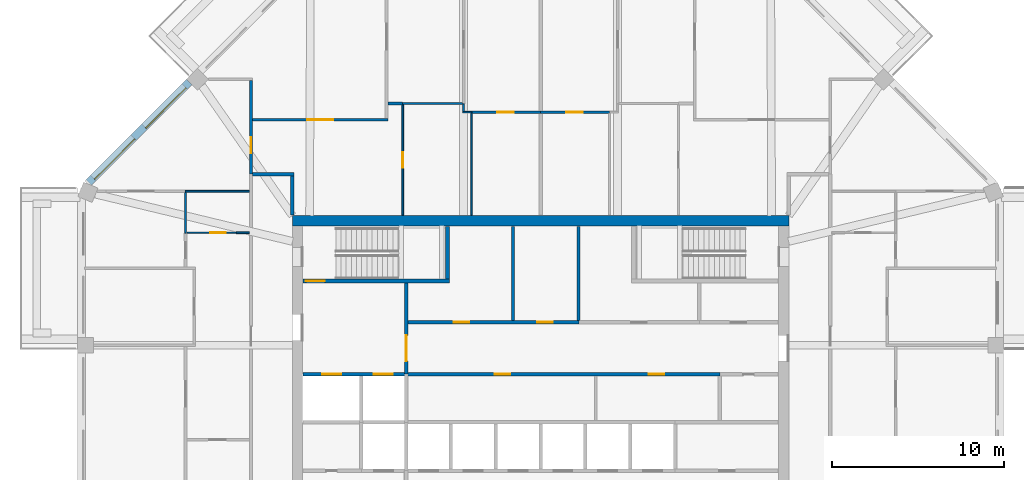
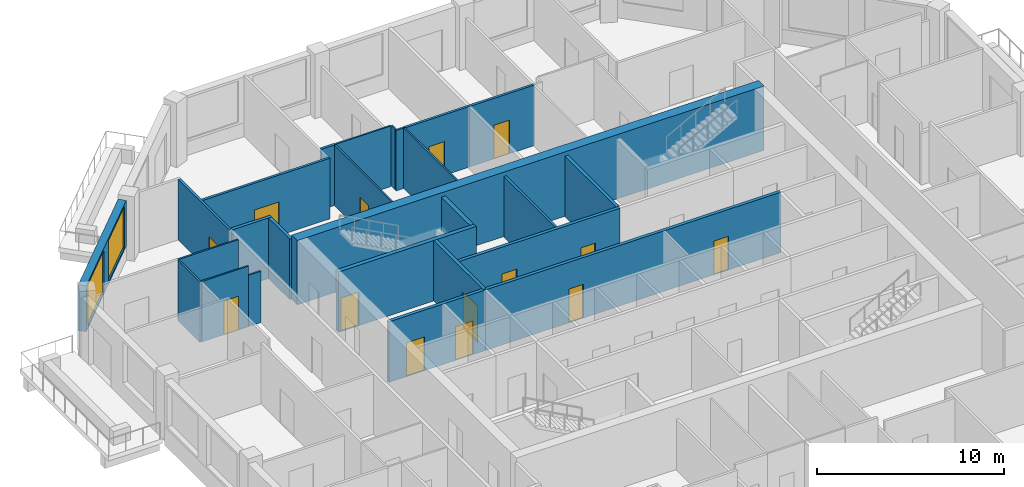
# One storey, part 7 of 12: 26 walls, 14 doors, 2 windows, 16 openings.
"""IFC4 building model written with IfcOpenShell, lengths in metres."""

import ifcopenshell
import ifcopenshell.guid

model = None  # the IFC model being written
_history = None  # IfcOwnerHistory: only IFC2X3 demands one
_inside = {}  # id of a spatial element -> (the spatial element, [elements in it])
_under = {}  # id of a project, library or spatial element -> (it, [spatial elements below it])
_declared = {}  # id of a project -> (the project, [libraries it declares])
_typed = {}  # id of a type object -> (the type object, [elements of that type])
_made_of = {}  # id of a material, layer set ... -> (it, [elements and type objects made of it])


def new_model(schema):
    """Start an empty IFC model of exactly this schema.

    Asked for "IFC4X3", IfcOpenShell would pick the latest addendum, in which some entities
    have other attributes; the version numbers below select the first issue.
    IFC2X3 requires an IfcOwnerHistory on every rooted entity: one is made here for all.
    """
    global model, _history
    if schema == "IFC4X3":
        model = ifcopenshell.file(schema_version=(4, 3, 0, 0))
    else:
        model = ifcopenshell.file(schema=schema)
    _inside.clear()
    _under.clear()
    _declared.clear()
    _typed.clear()
    _made_of.clear()
    _history = None
    if model.schema == "IFC2X3":
        org = make("IfcOrganization", Name="unknown")
        user = make(
            "IfcPersonAndOrganization",
            ThePerson=make("IfcPerson", FamilyName="unknown"),
            TheOrganization=org,
        )
        app = make(
            "IfcApplication",
            ApplicationDeveloper=org,
            Version="unknown",
            ApplicationFullName="unknown",
            ApplicationIdentifier="unknown",
        )
        _history = make(
            "IfcOwnerHistory",
            OwningUser=user,
            OwningApplication=app,
            ChangeAction="ADDED",
            CreationDate=0,
        )
    return model


def make(cls, **values):
    """One entity of the class cls with the attributes given. An attribute that is None is left unset."""
    return model.create_entity(
        cls, **{name: value for name, value in values.items() if value is not None}
    )


def rooted(cls, **values):
    """An entity with a GlobalId (a new one), such as an element, a storey or a relation."""
    return make(cls, GlobalId=ifcopenshell.guid.new(), OwnerHistory=_history, **values)


def si_unit(unit_type, name, prefix=None):
    """IfcSIUnit, for example si_unit("LENGTHUNIT", "METRE", prefix="MILLI")."""
    return make("IfcSIUnit", UnitType=unit_type, Prefix=prefix, Name=name)


def assignment(units):
    """IfcUnitAssignment: the units of a project."""
    return None if units is None else make("IfcUnitAssignment", Units=units)


def point(xyz):
    """IfcCartesianPoint."""
    return None if xyz is None else make("IfcCartesianPoint", Coordinates=xyz)


def direction(xyz):
    """IfcDirection."""
    return None if xyz is None else make("IfcDirection", DirectionRatios=xyz)


def frame(location, z_axis=None, x_axis=None):
    """IfcAxis2Placement3D, a coordinate frame: its origin and axes. An axis left out is left unset."""
    return make(
        "IfcAxis2Placement3D",
        Location=point(location),
        Axis=direction(z_axis),
        RefDirection=direction(x_axis),
    )


def frame_2d(location, x_axis=None):
    """IfcAxis2Placement2D, a coordinate frame in the plane: its origin and x axis."""
    return make(
        "IfcAxis2Placement2D", Location=point(location), RefDirection=direction(x_axis)
    )


def origin():
    """The frame at (0, 0, 0) with its axes left unset."""
    return frame((0.0, 0.0, 0.0))


def place(relative_to, where):
    """IfcLocalPlacement: puts the frame where relative to a parent placement (None: the world)."""
    return make(
        "IfcLocalPlacement", PlacementRelTo=relative_to, RelativePlacement=where
    )


def context(
    kind, dimensions, precision=None, world=None, true_north=None, identifier=None
):
    """IfcGeometricRepresentationContext, for example the 3D "Model" context."""
    return make(
        "IfcGeometricRepresentationContext",
        ContextIdentifier=identifier,
        ContextType=kind,
        CoordinateSpaceDimension=dimensions,
        Precision=precision,
        WorldCoordinateSystem=world,
        TrueNorth=true_north,
    )


def subcontext(parent, identifier, kind, view, scale=None):
    """IfcGeometricRepresentationSubContext, for example "Body" below "Model"."""
    return make(
        "IfcGeometricRepresentationSubContext",
        ContextIdentifier=identifier,
        ContextType=kind,
        ParentContext=parent,
        TargetScale=scale,
        TargetView=view,
    )


def project(units=None, contexts=None):
    """IfcProject with its units and contexts."""
    return rooted(
        "IfcProject",
        Name="project",
        RepresentationContexts=contexts,
        UnitsInContext=assignment(units),
    )


def spatial(cls, under=None, at=None, **own):
    """A site, building, storey or space (cls), placed at a placement, below another one or the project."""
    s = rooted(cls, ObjectPlacement=at, **own)
    if under is not None:
        _under.setdefault(under.id(), (under, []))[1].append(s)
    return s


def profile(cls, at=None, kind="AREA", **sizes):
    """A parametric profile (cls). Its sizes go by their IFC names, for example OverallWidth=200.0."""
    return make(cls, ProfileType=kind, Position=at, **sizes)


def rectangle(**sizes):
    """IfcRectangleProfileDef."""
    return profile("IfcRectangleProfileDef", **sizes)


def extrude(swept, where, along, depth):
    """IfcExtrudedAreaSolid: the profile swept, set in the frame where, extruded along a direction by depth."""
    return make(
        "IfcExtrudedAreaSolid",
        SweptArea=swept,
        Position=where,
        ExtrudedDirection=direction(along),
        Depth=depth,
    )


def shape(context_of_items, identifier, shape_type, items):
    """IfcShapeRepresentation: the items that make up one representation, for example the "Body"."""
    return make(
        "IfcShapeRepresentation",
        ContextOfItems=context_of_items,
        RepresentationIdentifier=identifier,
        RepresentationType=shape_type,
        Items=items,
    )


def material(Name=None, Category=None):
    """IfcMaterial."""
    return make("IfcMaterial", Name=Name, Category=Category)


def layer(
    of_material, thickness, ventilated=None, Name=None, Category=None, Priority=None
):
    """IfcMaterialLayer: one layer of a wall or slab, of a material (None: an air gap)."""
    return make(
        "IfcMaterialLayer",
        Material=of_material,
        LayerThickness=thickness,
        IsVentilated=ventilated,
        Name=Name,
        Category=Category,
        Priority=Priority,
    )


def layer_set(layers, Name=None):
    """IfcMaterialLayerSet."""
    return make("IfcMaterialLayerSet", MaterialLayers=layers, LayerSetName=Name)


def made_of(thing, what):
    """Note that an element or type object is made of a material, layer set ...; save() writes the relation."""
    if what is not None:
        _made_of.setdefault(what.id(), (what, []))[1].append(thing)
    return thing


def type_object(cls, material=None, **own):
    """A type object (cls), such as IfcWallType, which elements share."""
    return made_of(rooted(cls, **own), material)


def element(
    cls,
    number,
    at=None,
    inside=None,
    cuts=None,
    type_object=None,
    material=None,
    context=None,
    identifier="Body",
    shape_type=None,
    held_by="IfcProductDefinitionShape",
    body=None,
    shapes=None,
    **own,
):
    """One element of the class cls, such as IfcWall. Its Tag is "e" and its number.

    at: its placement. inside: the storey or other place that contains it. cuts: it is an
    opening in that element (IfcRelVoidsElement). A single representation is given by context,
    identifier, shape_type and body (its items); several are given by shapes. held_by: the class
    of the entity that holds the representations. save() writes the other relations.
    """
    e = rooted(cls, Tag="e%d" % number, ObjectPlacement=at, **own)
    if body is not None:
        shapes = [shape(context, identifier, shape_type, body)]
    if shapes is not None:
        e.Representation = make(held_by, Representations=shapes)
    if inside is not None:
        _inside.setdefault(inside.id(), (inside, []))[1].append(e)
    if cuts is not None:
        rooted(
            "IfcRelVoidsElement", RelatingBuildingElement=cuts, RelatedOpeningElement=e
        )
    if type_object is not None:
        _typed.setdefault(type_object.id(), (type_object, []))[1].append(e)
    return made_of(e, material)


def fill(opening, filler):
    """IfcRelFillsElement: the door or window that sits in an opening."""
    return rooted(
        "IfcRelFillsElement",
        RelatingOpeningElement=opening,
        RelatedBuildingElement=filler,
    )


def aggregate(whole, parts):
    """IfcRelAggregates: a whole, such as a stair, and the parts it consists of."""
    return rooted("IfcRelAggregates", RelatingObject=whole, RelatedObjects=parts)


def save(model, path):
    """Write the relations noted so far, then the file.

    IfcRelAggregates (storeys below a building ...), IfcRelContainedInSpatialStructure (elements
    in a storey), IfcRelDefinesByType, IfcRelAssociatesMaterial and IfcRelDeclares: one each for
    every whole, place, type object, material and project.
    """
    for whole, parts in _under.values():
        aggregate(whole, parts)
    for where, things in _inside.values():
        rooted(
            "IfcRelContainedInSpatialStructure",
            RelatedElements=things,
            RelatingStructure=where,
        )
    for kind, things in _typed.values():
        rooted("IfcRelDefinesByType", RelatedObjects=things, RelatingType=kind)
    for what, things in _made_of.values():
        rooted("IfcRelAssociatesMaterial", RelatedObjects=things, RelatingMaterial=what)
    for by, libraries in _declared.values():
        rooted("IfcRelDeclares", RelatingContext=by, RelatedDefinitions=libraries)
    model.write(path)


model = new_model("IFC4")

# Units and contexts
model_context = context("Model", 3, precision=1e-05, world=origin(), true_north=direction((0.0, 1.0)))
body_context = subcontext(model_context, "Body", "Model", "MODEL_VIEW")
ifc_project = project(units=[si_unit("LENGTHUNIT", "METRE"), si_unit("AREAUNIT", "SQUARE_METRE"), si_unit("VOLUMEUNIT", "CUBIC_METRE"), si_unit("PLANEANGLEUNIT", "RADIAN"), si_unit("MASSUNIT", "GRAM", prefix="KILO")], contexts=[model_context])

# Site, building, storey
site_placement = place(None, origin())
site = spatial("IfcSite", under=ifc_project, at=site_placement, CompositionType="ELEMENT")
building_placement = place(site_placement, origin())
building = spatial("IfcBuilding", under=site, at=building_placement, Name="Msitu Wima Residences", CompositionType="ELEMENT")
storey_placement = place(building_placement, frame((0.0, 0.0, 243.300048828125)))
storey = spatial("IfcBuildingStorey", under=building, at=storey_placement, Name="L56", CompositionType="ELEMENT", Elevation=243.300048828125)

# Wall, openings, windows
ifc_material_1 = material(Name="Brick (red buff mix)", Category="masonry")
ifc_layer_1 = layer(ifc_material_1, 0.449951171875)
ifc_layer_set_1 = layer_set([ifc_layer_1], Name="Brick (red buff mix)")
wall_type_1 = type_object("IfcWallType", Name="Brick infill wall BW450", PredefinedType="SOLIDWALL", material=ifc_layer_set_1)
wall_1_placement = place(storey_placement, frame((-20.380126953125, 19.743896484375, 0.89990234375), z_axis=(0.0, 0.0, 1.0), x_axis=(-0.707106781187, -0.707106781187, 0.0)))
wall_1 = element("IfcWall", 1, at=wall_1_placement, inside=storey, type_object=wall_type_1, Name="Brick infill wall L56 NW1", PredefinedType="SOLIDWALL", context=body_context, shape_type="SweptSolid", body=[
    extrude(rectangle(XDim=8.251220703125, YDim=0.449951171875, at=frame_2d((4.12548828125, 0.0))), origin(), (0.0, 0.0, 1.0), 3.0),
])
opening_1_placement = place(wall_1_placement, frame((0.37548828125, 0.0, 0.14990234375)))
opening_1 = element("IfcOpeningElement", 2, at=opening_1_placement, cuts=wall_1, Name="Opening W55-56.014", PredefinedType="OPENING", context=body_context, shape_type="SweptSolid", body=[
    extrude(rectangle(XDim=3.300048828125, YDim=2.699951171875, at=frame_2d((1.64990234375, 1.35009765625))), frame((0.0, 0.23486328125, 0.0), z_axis=(0.0, -1.0, 0.0), x_axis=(1.0, 0.0, 0.0)), (0.0, 0.0, 1.0), 0.469970703125),
])
opening_2_placement = place(wall_1_placement, frame((4.57568359375, 0.0, 0.14990234375)))
opening_2 = element("IfcOpeningElement", 3, at=opening_2_placement, cuts=wall_1, Name="Opening W55-56.015", PredefinedType="OPENING", context=body_context, shape_type="SweptSolid", body=[
    extrude(rectangle(XDim=3.300048828125, YDim=2.699951171875, at=frame_2d((1.64990234375, 1.35009765625))), frame((0.0, 0.23486328125, 0.0), z_axis=(0.0, -1.0, 0.0), x_axis=(1.0, 0.0, 0.0)), (0.0, 0.0, 1.0), 0.469970703125),
])
ifc_material_2 = material(Name="Anodised aluminium, bronze finish, clear low-emissivity double glazing", Category="aluminium")
window_type = type_object("IfcWindowType", Name="Window W3300x2700", PartitioningType="DOUBLE_PANEL_VERTICAL", PredefinedType="WINDOW", material=ifc_material_2)
window_1_placement = place(opening_1_placement, origin())
window_1 = element("IfcWindow", 4, at=window_1_placement, inside=storey, type_object=window_type, Name="Window L56 NW1.1", OverallHeight=2.699951171875, OverallWidth=3.300048828125, PartitioningType="SINGLE_PANEL", PredefinedType="WINDOW", context=body_context, shape_type="SweptSolid", body=[
    extrude(rectangle(XDim=3.300048828125, YDim=2.699951171875, at=frame_2d((1.64990234375, 1.35009765625))), frame((0.0, 0.135009765625, 0.0), z_axis=(0.0, -1.0, 0.0), x_axis=(1.0, 0.0, 0.0)), (0.0, 0.0, 1.0), 0.06005859375),
])
fill(opening_1, window_1)
window_2_placement = place(opening_2_placement, origin())
window_2 = element("IfcWindow", 5, at=window_2_placement, inside=storey, type_object=window_type, Name="Window L56 NW1.2", OverallHeight=2.699951171875, OverallWidth=3.300048828125, PartitioningType="SINGLE_PANEL", PredefinedType="WINDOW", context=body_context, shape_type="SweptSolid", body=[
    extrude(rectangle(XDim=3.300048828125, YDim=2.699951171875, at=frame_2d((1.64990234375, 1.35009765625))), frame((0.0, 0.135009765625, 0.0), z_axis=(0.0, -1.0, 0.0), x_axis=(1.0, 0.0, 0.0)), (0.0, 0.0, 1.0), 0.06005859375),
])
fill(opening_2, window_2)

# Walls
ifc_material_3 = material(Name="Concrete C50/60", Category="concrete")
ifc_layer_2 = layer(ifc_material_3, 0.60009765625)
ifc_layer_set_2 = layer_set([ifc_layer_2], Name="Concrete C50/60")
wall_type_2 = type_object("IfcWallType", Name="Core wall CW600 C50/60", PredefinedType="SHEAR", material=ifc_layer_set_2)
wall_2_placement = place(storey_placement, frame((-14.39990234375, 11.699951171875, 0.0), z_axis=(0.0, 0.0, 1.0), x_axis=(1.0, 0.0, 0.0)))
element("IfcWall", 6, at=wall_2_placement, inside=storey, type_object=wall_type_2, Name="Core wall", PredefinedType="SHEAR", context=body_context, shape_type="SweptSolid", body=[
    extrude(rectangle(XDim=28.7998046875, YDim=0.60009765625, at=frame_2d((14.39990234375, 0.0))), origin(), (0.0, 0.0, 1.0), 4.199951171875),
])
ifc_material_4 = material(Name="Plaster")
ifc_layer_3 = layer(ifc_material_4, 0.011962890625, Name="Plaster")
ifc_material_5 = material(Name="Concrete blockwork", Category="masonry")
ifc_layer_4 = layer(ifc_material_5, 0.176025390625, Name="Concrete blockwork")
ifc_layer_5 = layer(ifc_material_4, 0.011962890625, Name="Plaster")
ifc_layer_set_3 = layer_set([ifc_layer_3, ifc_layer_4, ifc_layer_5], Name="Concrete blockwork")
wall_type_3 = type_object("IfcWallType", Name="Corridor wall FW200", PredefinedType="PARTITIONING", material=ifc_layer_set_3)
wall_3_placement = place(storey_placement, frame((-16.699951171875, 14.39990234375, 0.0), z_axis=(0.0, 0.0, 1.0), x_axis=(1.0, 0.0, 0.0)))
element("IfcWall", 7, at=wall_3_placement, inside=storey, type_object=wall_type_3, Name="Corridor wall", PredefinedType="PARTITIONING", context=body_context, shape_type="SweptSolid", body=[
    extrude(rectangle(XDim=2.39990234375, YDim=0.199951171875, at=frame_2d((1.199951171875, 0.0))), origin(), (0.0, 0.0, 1.0), 3.949951171875),
])
wall_4_placement = place(storey_placement, frame((-14.39990234375, 12.030029296875, 0.0), z_axis=(0.0, 0.0, 1.0), x_axis=(0.0, 1.0, 0.0)))
element("IfcWall", 8, at=wall_4_placement, inside=storey, type_object=wall_type_3, Name="Corridor wall", PredefinedType="PARTITIONING", context=body_context, shape_type="SweptSolid", body=[
    extrude(rectangle(XDim=2.27001953125, YDim=0.199951171875, at=frame_2d((1.135009765625, 0.0))), origin(), (0.0, 0.0, 1.0), 3.949951171875),
])

# Wall, openings, doors
wall_5_placement = place(storey_placement, frame((-7.820068359375, 2.800048828125, 0.0), z_axis=(0.0, 0.0, 1.0), x_axis=(1.0, 0.0, 0.0)))
wall_5 = element("IfcWall", 9, at=wall_5_placement, inside=storey, type_object=wall_type_3, Name="Corridor wall", PredefinedType="PARTITIONING", context=body_context, shape_type="SweptSolid", body=[
    extrude(rectangle(XDim=18.239990234375, YDim=0.199951171875, at=frame_2d((9.1201171875, 0.0))), origin(), (0.0, 0.0, 1.0), 3.949951171875),
])
opening_3_placement = place(wall_5_placement, frame((5.14990234375, 0.0, 0.0)))
opening_3 = element("IfcOpeningElement", 10, at=opening_3_placement, cuts=wall_5, Name="Opening D55-56.073", PredefinedType="OPENING", context=body_context, shape_type="SweptSolid", body=[
    extrude(rectangle(XDim=0.89990234375, YDim=2.199951171875, at=frame_2d((0.449951171875, 1.10009765625))), frame((0.0, 0.10986328125, 0.0), z_axis=(0.0, -1.0, 0.0), x_axis=(1.0, 0.0, 0.0)), (0.0, 0.0, 1.0), 0.219970703125),
])
opening_4_placement = place(wall_5_placement, frame((14.10009765625, 0.0, 0.0)))
opening_4 = element("IfcOpeningElement", 11, at=opening_4_placement, cuts=wall_5, Name="Opening D55-56.074", PredefinedType="OPENING", context=body_context, shape_type="SweptSolid", body=[
    extrude(rectangle(XDim=0.89990234375, YDim=2.199951171875, at=frame_2d((0.449951171875, 1.10009765625))), frame((0.0, 0.10986328125, 0.0), z_axis=(0.0, -1.0, 0.0), x_axis=(1.0, 0.0, 0.0)), (0.0, 0.0, 1.0), 0.219970703125),
])
ifc_material_6 = material(Name="Timber flush door", Category="wood")
door_type_1 = type_object("IfcDoorType", Name="Service door D05 900x2200", OperationType="SINGLE_SWING_LEFT", PredefinedType="DOOR", material=ifc_material_6)
door_1_placement = place(opening_3_placement, origin())
door_1 = element("IfcDoor", 12, at=door_1_placement, inside=storey, type_object=door_type_1, Name="Service door", OperationType="SINGLE_SWING_RIGHT", OverallHeight=2.199951171875, OverallWidth=0.89990234375, PredefinedType="DOOR", context=body_context, shape_type="SweptSolid", body=[
    extrude(rectangle(XDim=0.89990234375, YDim=2.199951171875, at=frame_2d((0.449951171875, 1.10009765625))), frame((0.0, 0.02490234375, 0.0), z_axis=(0.0, -1.0, 0.0), x_axis=(1.0, 0.0, 0.0)), (0.0, 0.0, 1.0), 0.050048828125),
])
fill(opening_3, door_1)
door_2_placement = place(opening_4_placement, origin())
door_2 = element("IfcDoor", 13, at=door_2_placement, inside=storey, type_object=door_type_1, Name="Service door", OperationType="SINGLE_SWING_LEFT", OverallHeight=2.199951171875, OverallWidth=0.89990234375, PredefinedType="DOOR", context=body_context, shape_type="SweptSolid", body=[
    extrude(rectangle(XDim=0.89990234375, YDim=2.199951171875, at=frame_2d((0.449951171875, 1.10009765625))), frame((0.0, 0.02490234375, 0.0), z_axis=(0.0, -1.0, 0.0), x_axis=(1.0, 0.0, 0.0)), (0.0, 0.0, 1.0), 0.050048828125),
])
fill(opening_4, door_2)

# Wall, opening, door
wall_6_placement = place(storey_placement, frame((-7.800048828125, 2.800048828125, 0.0), z_axis=(0.0, 0.0, 1.0), x_axis=(0.0, 1.0, 0.0)))
wall_6 = element("IfcWall", 14, at=wall_6_placement, inside=storey, type_object=wall_type_3, Name="Corridor wall", PredefinedType="PARTITIONING", context=body_context, shape_type="SweptSolid", body=[
    extrude(rectangle(XDim=5.27490234375, YDim=0.199951171875, at=frame_2d((2.637451171875, 0.0))), origin(), (0.0, 0.0, 1.0), 3.949951171875),
])
opening_5_placement = place(wall_6_placement, frame((0.75, 0.0, 0.0)))
opening_5 = element("IfcOpeningElement", 15, at=opening_5_placement, cuts=wall_6, Name="Opening D55-56.061", PredefinedType="OPENING", context=body_context, shape_type="SweptSolid", body=[
    extrude(rectangle(XDim=1.5, YDim=2.39990234375, at=frame_2d((0.75, 1.199951171875))), frame((0.0, 0.10986328125, 0.0), z_axis=(0.0, -1.0, 0.0), x_axis=(1.0, 0.0, 0.0)), (0.0, 0.0, 1.0), 0.219970703125),
])
ifc_material_7 = material(Name="Steel framed glazed door, fire resisting", Category="steel")
door_type_2 = type_object("IfcDoorType", Name="Lobby door D07 1500x2400", OperationType="DOUBLE_DOOR_SINGLE_SWING", PredefinedType="DOOR", material=ifc_material_7)
door_3_placement = place(opening_5_placement, origin())
door_3 = element("IfcDoor", 16, at=door_3_placement, inside=storey, type_object=door_type_2, Name="Lobby door", OperationType="DOUBLE_DOOR_SINGLE_SWING", OverallHeight=2.39990234375, OverallWidth=1.5, PredefinedType="DOOR", context=body_context, shape_type="SweptSolid", body=[
    extrude(rectangle(XDim=1.5, YDim=2.39990234375, at=frame_2d((0.75, 1.199951171875))), frame((0.0, 0.02490234375, 0.0), z_axis=(0.0, -1.0, 0.0), x_axis=(1.0, 0.0, 0.0)), (0.0, 0.0, 1.0), 0.050048828125),
])
fill(opening_5, door_3)

# Wall, openings, doors
wall_7_placement = place(storey_placement, frame((-7.699951171875, 5.800048828125, 0.0), z_axis=(0.0, 0.0, 1.0), x_axis=(1.0, 0.0, 0.0)))
wall_7 = element("IfcWall", 17, at=wall_7_placement, inside=storey, type_object=wall_type_3, Name="Corridor wall", PredefinedType="PARTITIONING", context=body_context, shape_type="SweptSolid", body=[
    extrude(rectangle(XDim=9.919921875, YDim=0.199951171875, at=frame_2d((4.9599609375, 0.0))), origin(), (0.0, 0.0, 1.0), 3.949951171875),
])
opening_6_placement = place(wall_7_placement, frame((2.64990234375, 0.0, 0.0)))
opening_6 = element("IfcOpeningElement", 18, at=opening_6_placement, cuts=wall_7, Name="Opening D55-56.064", PredefinedType="OPENING", context=body_context, shape_type="SweptSolid", body=[
    extrude(rectangle(XDim=0.89990234375, YDim=2.199951171875, at=frame_2d((0.449951171875, 1.10009765625))), frame((0.0, 0.10986328125, 0.0), z_axis=(0.0, -1.0, 0.0), x_axis=(1.0, 0.0, 0.0)), (0.0, 0.0, 1.0), 0.219970703125),
])
opening_7_placement = place(wall_7_placement, frame((7.5, 0.0, 0.0)))
opening_7 = element("IfcOpeningElement", 19, at=opening_7_placement, cuts=wall_7, Name="Opening D55-56.065", PredefinedType="OPENING", context=body_context, shape_type="SweptSolid", body=[
    extrude(rectangle(XDim=0.89990234375, YDim=2.199951171875, at=frame_2d((0.449951171875, 1.10009765625))), frame((0.0, 0.10986328125, 0.0), z_axis=(0.0, -1.0, 0.0), x_axis=(1.0, 0.0, 0.0)), (0.0, 0.0, 1.0), 0.219970703125),
])
door_4_placement = place(opening_6_placement, origin())
door_4 = element("IfcDoor", 20, at=door_4_placement, inside=storey, type_object=door_type_1, Name="Service door", OperationType="SINGLE_SWING_RIGHT", OverallHeight=2.199951171875, OverallWidth=0.89990234375, PredefinedType="DOOR", context=body_context, shape_type="SweptSolid", body=[
    extrude(rectangle(XDim=0.89990234375, YDim=2.199951171875, at=frame_2d((0.449951171875, 1.10009765625))), frame((0.0, 0.02490234375, 0.0), z_axis=(0.0, -1.0, 0.0), x_axis=(1.0, 0.0, 0.0)), (0.0, 0.0, 1.0), 0.050048828125),
])
fill(opening_6, door_4)
door_5_placement = place(opening_7_placement, origin())
door_5 = element("IfcDoor", 21, at=door_5_placement, inside=storey, type_object=door_type_1, Name="Service door", OperationType="SINGLE_SWING_LEFT", OverallHeight=2.199951171875, OverallWidth=0.89990234375, PredefinedType="DOOR", context=body_context, shape_type="SweptSolid", body=[
    extrude(rectangle(XDim=0.89990234375, YDim=2.199951171875, at=frame_2d((0.449951171875, 1.10009765625))), frame((0.0, 0.02490234375, 0.0), z_axis=(0.0, -1.0, 0.0), x_axis=(1.0, 0.0, 0.0)), (0.0, 0.0, 1.0), 0.050048828125),
])
fill(opening_7, door_5)

# Wall, opening, door
ifc_layer_6 = layer(ifc_material_4, 0.011962890625, Name="Plaster")
ifc_layer_7 = layer(ifc_material_5, 0.1259765625, Name="Concrete blockwork")
ifc_layer_8 = layer(ifc_material_4, 0.011962890625, Name="Plaster")
ifc_layer_set_4 = layer_set([ifc_layer_6, ifc_layer_7, ifc_layer_8], Name="Concrete blockwork")
wall_type_4 = type_object("IfcWallType", Name="Partition PW150", PredefinedType="PARTITIONING", material=ifc_layer_set_4)
wall_8_placement = place(storey_placement, frame((-16.800048828125, 14.39990234375, 0.0), z_axis=(0.0, 0.0, 1.0), x_axis=(0.0, 1.0, 0.0)))
wall_8 = element("IfcWall", 22, at=wall_8_placement, inside=storey, type_object=wall_type_4, Name="Partition", PredefinedType="PARTITIONING", context=body_context, shape_type="SweptSolid", body=[
    extrude(rectangle(XDim=5.427978515625, YDim=0.14990234375, at=frame_2d((2.7138671875, 0.0))), origin(), (0.0, 0.0, 1.0), 3.949951171875),
])
opening_8_placement = place(wall_8_placement, frame((1.199951171875, 0.0, 0.0)))
opening_8 = element("IfcOpeningElement", 23, at=opening_8_placement, cuts=wall_8, Name="Opening D55-56.056", PredefinedType="OPENING", context=body_context, shape_type="SweptSolid", body=[
    extrude(rectangle(XDim=0.949951171875, YDim=2.199951171875, at=frame_2d((0.47509765625, 1.10009765625))), frame((0.0, 0.0849609375, 0.0), z_axis=(0.0, -1.0, 0.0), x_axis=(1.0, 0.0, 0.0)), (0.0, 0.0, 1.0), 0.169921875),
])
door_type_3 = type_object("IfcDoorType", Name="Room door D12 950x2200", OperationType="SINGLE_SWING_LEFT", PredefinedType="DOOR", material=ifc_material_6)
door_6_placement = place(opening_8_placement, origin())
door_6 = element("IfcDoor", 24, at=door_6_placement, inside=storey, type_object=door_type_3, Name="Room door", OperationType="SINGLE_SWING_LEFT", OverallHeight=2.199951171875, OverallWidth=0.949951171875, PredefinedType="DOOR", context=body_context, shape_type="SweptSolid", body=[
    extrude(rectangle(XDim=0.949951171875, YDim=2.199951171875, at=frame_2d((0.47509765625, 1.10009765625))), frame((0.0, 0.02490234375, 0.0), z_axis=(0.0, -1.0, 0.0), x_axis=(1.0, 0.0, 0.0)), (0.0, 0.0, 1.0), 0.050048828125),
])
fill(opening_8, door_6)

wall_9_placement = place(storey_placement, frame((-16.72509765625, 17.550048828125, 0.0), z_axis=(0.0, 0.0, 1.0), x_axis=(1.0, 0.0, 0.0)))
wall_9 = element("IfcWall", 25, at=wall_9_placement, inside=storey, type_object=wall_type_4, Name="Partition", PredefinedType="PARTITIONING", context=body_context, shape_type="SweptSolid", body=[
    extrude(rectangle(XDim=7.86279296875, YDim=0.14990234375, at=frame_2d((3.931396484375, 0.0))), origin(), (0.0, 0.0, 1.0), 3.949951171875),
])
opening_9_placement = place(wall_9_placement, frame((3.199951171875, 0.0, 0.0)))
opening_9 = element("IfcOpeningElement", 26, at=opening_9_placement, cuts=wall_9, Name="Opening D55-56.057", PredefinedType="OPENING", context=body_context, shape_type="SweptSolid", body=[
    extrude(rectangle(XDim=1.5, YDim=2.199951171875, at=frame_2d((0.75, 1.10009765625))), frame((0.0, 0.0849609375, 0.0), z_axis=(0.0, -1.0, 0.0), x_axis=(1.0, 0.0, 0.0)), (0.0, 0.0, 1.0), 0.169921875),
])
ifc_material_8 = material(Name="Timber double door", Category="wood")
door_type_4 = type_object("IfcDoorType", Name="Double door D04 1500x2200", OperationType="DOUBLE_DOOR_SINGLE_SWING", PredefinedType="DOOR", material=ifc_material_8)
door_7_placement = place(opening_9_placement, origin())
door_7 = element("IfcDoor", 27, at=door_7_placement, inside=storey, type_object=door_type_4, Name="Double door", OperationType="DOUBLE_DOOR_SINGLE_SWING", OverallHeight=2.199951171875, OverallWidth=1.5, PredefinedType="DOOR", context=body_context, shape_type="SweptSolid", body=[
    extrude(rectangle(XDim=1.5, YDim=2.199951171875, at=frame_2d((0.75, 1.10009765625))), frame((0.0, 0.02490234375, 0.0), z_axis=(0.0, -1.0, 0.0), x_axis=(1.0, 0.0, 0.0)), (0.0, 0.0, 1.0), 0.050048828125),
])
fill(opening_9, door_7)

# Wall
wall_10_placement = place(storey_placement, frame((-8.8623046875, 18.5, 0.0), z_axis=(0.0, 0.0, 1.0), x_axis=(1.0, 0.0, 0.0)))
element("IfcWall", 28, at=wall_10_placement, inside=storey, type_object=wall_type_4, Name="Partition", PredefinedType="PARTITIONING", context=body_context, shape_type="SweptSolid", body=[
    extrude(rectangle(XDim=0.8623046875, YDim=0.14990234375, at=frame_2d((0.43115234375, 0.0))), origin(), (0.0, 0.0, 1.0), 3.949951171875),
])

# Wall, opening, door
wall_11_placement = place(storey_placement, frame((-4.0, 18.0, 0.0), z_axis=(0.0, 0.0, 1.0), x_axis=(1.0, 0.0, 0.0)))
wall_11 = element("IfcWall", 29, at=wall_11_placement, inside=storey, type_object=wall_type_4, Name="Partition", PredefinedType="PARTITIONING", context=body_context, shape_type="SweptSolid", body=[
    extrude(rectangle(XDim=4.0, YDim=0.14990234375, at=frame_2d((2.0, 0.0))), origin(), (0.0, 0.0, 1.0), 3.949951171875),
])
opening_10_placement = place(wall_11_placement, frame((1.5, 0.0, 0.0)))
opening_10 = element("IfcOpeningElement", 30, at=opening_10_placement, cuts=wall_11, Name="Opening D55-56.048", PredefinedType="OPENING", context=body_context, shape_type="SweptSolid", body=[
    extrude(rectangle(XDim=0.949951171875, YDim=2.199951171875, at=frame_2d((0.47509765625, 1.10009765625))), frame((0.0, 0.0849609375, 0.0), z_axis=(0.0, -1.0, 0.0), x_axis=(1.0, 0.0, 0.0)), (0.0, 0.0, 1.0), 0.169921875),
])
door_8_placement = place(opening_10_placement, origin())
door_8 = element("IfcDoor", 31, at=door_8_placement, inside=storey, type_object=door_type_3, Name="Room door", OperationType="SINGLE_SWING_RIGHT", OverallHeight=2.199951171875, OverallWidth=0.949951171875, PredefinedType="DOOR", context=body_context, shape_type="SweptSolid", body=[
    extrude(rectangle(XDim=0.949951171875, YDim=2.199951171875, at=frame_2d((0.47509765625, 1.10009765625))), frame((0.0, 0.02490234375, 0.0), z_axis=(0.0, -1.0, 0.0), x_axis=(1.0, 0.0, 0.0)), (0.0, 0.0, 1.0), 0.050048828125),
])
fill(opening_10, door_8)

# Wall
wall_12_placement = place(storey_placement, frame((-1.60009765625, 5.89990234375, 0.0), z_axis=(0.0, 0.0, 1.0), x_axis=(0.0, 1.0, 0.0)))
element("IfcWall", 32, at=wall_12_placement, inside=storey, type_object=wall_type_4, Name="Partition", PredefinedType="PARTITIONING", context=body_context, shape_type="SweptSolid", body=[
    extrude(rectangle(XDim=5.47021484375, YDim=0.14990234375, at=frame_2d((2.735107421875, 0.0))), origin(), (0.0, 0.0, 1.0), 3.949951171875),
])

# Wall, opening, door
wall_13_placement = place(storey_placement, frame((0.0, 18.0, 0.0), z_axis=(0.0, 0.0, 1.0), x_axis=(1.0, 0.0, 0.0)))
wall_13 = element("IfcWall", 33, at=wall_13_placement, inside=storey, type_object=wall_type_4, Name="Partition", PredefinedType="PARTITIONING", context=body_context, shape_type="SweptSolid", body=[
    extrude(rectangle(XDim=4.0, YDim=0.14990234375, at=frame_2d((2.0, 0.0))), origin(), (0.0, 0.0, 1.0), 3.949951171875),
])
opening_11_placement = place(wall_13_placement, frame((1.5, 0.0, 0.0)))
opening_11 = element("IfcOpeningElement", 34, at=opening_11_placement, cuts=wall_13, Name="Opening D55-56.024", PredefinedType="OPENING", context=body_context, shape_type="SweptSolid", body=[
    extrude(rectangle(XDim=0.949951171875, YDim=2.199951171875, at=frame_2d((0.47509765625, 1.10009765625))), frame((0.0, 0.0849609375, 0.0), z_axis=(0.0, -1.0, 0.0), x_axis=(1.0, 0.0, 0.0)), (0.0, 0.0, 1.0), 0.169921875),
])
door_9_placement = place(opening_11_placement, origin())
door_9 = element("IfcDoor", 35, at=door_9_placement, inside=storey, type_object=door_type_3, Name="Room door", OperationType="SINGLE_SWING_LEFT", OverallHeight=2.199951171875, OverallWidth=0.949951171875, PredefinedType="DOOR", context=body_context, shape_type="SweptSolid", body=[
    extrude(rectangle(XDim=0.949951171875, YDim=2.199951171875, at=frame_2d((0.47509765625, 1.10009765625))), frame((0.0, 0.02490234375, 0.0), z_axis=(0.0, -1.0, 0.0), x_axis=(1.0, 0.0, 0.0)), (0.0, 0.0, 1.0), 0.050048828125),
])
fill(opening_11, door_9)

# Wall
ifc_layer_9 = layer(ifc_material_4, 0.011962890625, Name="Plaster")
ifc_material_9 = material(Name="Reinforced concrete blockwork", Category="masonry")
ifc_layer_10 = layer(ifc_material_9, 0.176025390625, Name="Reinforced concrete blockwork")
ifc_layer_11 = layer(ifc_material_4, 0.011962890625, Name="Plaster")
ifc_layer_set_5 = layer_set([ifc_layer_9, ifc_layer_10, ifc_layer_11], Name="Reinforced concrete blockwork")
wall_type_5 = type_object("IfcWallType", Name="Plant and riser wall PL200", PredefinedType="PARTITIONING", material=ifc_layer_set_5)
wall_14_placement = place(storey_placement, frame((2.199951171875, 5.89990234375, 0.0), z_axis=(0.0, 0.0, 1.0), x_axis=(0.0, 1.0, 0.0)))
element("IfcWall", 36, at=wall_14_placement, inside=storey, type_object=wall_type_5, Name="Plant and riser wall", PredefinedType="PARTITIONING", context=body_context, shape_type="SweptSolid", body=[
    extrude(rectangle(XDim=5.47021484375, YDim=0.199951171875, at=frame_2d((2.735107421875, 0.0))), origin(), (0.0, 0.0, 1.0), 3.949951171875),
])

# Wall, openings, doors
ifc_material_10 = material(Name="Fire-rated board")
ifc_layer_12 = layer(ifc_material_10, 0.02490234375, Name="Fire-rated board")
ifc_material_11 = material(Name="Light-gauge stud framing with mineral wool")
ifc_layer_13 = layer(ifc_material_11, 0.14990234375, Name="Light-gauge stud framing with mineral wool")
ifc_layer_14 = layer(ifc_material_10, 0.02490234375, Name="Fire-rated board")
ifc_layer_set_6 = layer_set([ifc_layer_12, ifc_layer_13, ifc_layer_14], Name="Light-gauge stud framing with mineral wool")
wall_type_6 = type_object("IfcWallType", Name="Shaft wall SH200", PredefinedType="PARTITIONING", material=ifc_layer_set_6)
wall_15_placement = place(storey_placement, frame((-13.77001953125, 2.800048828125, 0.0), z_axis=(0.0, 0.0, 1.0), x_axis=(1.0, 0.0, 0.0)))
wall_15 = element("IfcWall", 37, at=wall_15_placement, inside=storey, type_object=wall_type_6, Name="Shaft wall", PredefinedType="PARTITIONING", context=body_context, shape_type="SweptSolid", body=[
    extrude(rectangle(XDim=5.949951171875, YDim=0.199951171875, at=frame_2d((2.97509765625, 0.0))), origin(), (0.0, 0.0, 1.0), 3.949951171875),
])
opening_12_placement = place(wall_15_placement, frame((1.10009765625, 0.0, 0.0)))
opening_12 = element("IfcOpeningElement", 38, at=opening_12_placement, cuts=wall_15, Name="Opening LD", PredefinedType="OPENING", context=body_context, shape_type="SweptSolid", body=[
    extrude(rectangle(XDim=1.10009765625, YDim=2.199951171875, at=frame_2d((0.550048828125, 1.10009765625))), frame((0.0, 0.10986328125, 0.0), z_axis=(0.0, -1.0, 0.0), x_axis=(1.0, 0.0, 0.0)), (0.0, 0.0, 1.0), 0.219970703125),
])
opening_13_placement = place(wall_15_placement, frame((4.10009765625, 0.0, 0.0)))
opening_13 = element("IfcOpeningElement", 39, at=opening_13_placement, cuts=wall_15, Name="Opening LD", PredefinedType="OPENING", context=body_context, shape_type="SweptSolid", body=[
    extrude(rectangle(XDim=1.10009765625, YDim=2.199951171875, at=frame_2d((0.550048828125, 1.10009765625))), frame((0.0, 0.10986328125, 0.0), z_axis=(0.0, -1.0, 0.0), x_axis=(1.0, 0.0, 0.0)), (0.0, 0.0, 1.0), 0.219970703125),
])
ifc_material_12 = material(Name="Stainless steel centre-opening landing door, rated", Category="steel")
door_type_5 = type_object("IfcDoorType", Name="Lift landing door LD 1100x2200", OperationType="DOUBLE_DOOR_SLIDING", PredefinedType="DOOR", material=ifc_material_12)
door_10_placement = place(opening_12_placement, origin())
door_10 = element("IfcDoor", 40, at=door_10_placement, inside=storey, type_object=door_type_5, Name="Lift landing door LD1", OperationType="DOUBLE_DOOR_SLIDING", OverallHeight=2.199951171875, OverallWidth=1.10009765625, PredefinedType="DOOR", context=body_context, shape_type="SweptSolid", body=[
    extrude(rectangle(XDim=1.10009765625, YDim=2.199951171875, at=frame_2d((0.550048828125, 1.10009765625))), frame((0.0, 0.02490234375, 0.0), z_axis=(0.0, -1.0, 0.0), x_axis=(1.0, 0.0, 0.0)), (0.0, 0.0, 1.0), 0.050048828125),
])
fill(opening_12, door_10)
door_11_placement = place(opening_13_placement, origin())
door_11 = element("IfcDoor", 41, at=door_11_placement, inside=storey, type_object=door_type_5, Name="Lift landing door LD2", OperationType="DOUBLE_DOOR_SLIDING", OverallHeight=2.199951171875, OverallWidth=1.10009765625, PredefinedType="DOOR", context=body_context, shape_type="SweptSolid", body=[
    extrude(rectangle(XDim=1.10009765625, YDim=2.199951171875, at=frame_2d((0.550048828125, 1.10009765625))), frame((0.0, 0.02490234375, 0.0), z_axis=(0.0, -1.0, 0.0), x_axis=(1.0, 0.0, 0.0)), (0.0, 0.0, 1.0), 0.050048828125),
])
fill(opening_13, door_11)

# Wall, opening, door
ifc_layer_15 = layer(ifc_material_3, 0.25)
ifc_layer_set_7 = layer_set([ifc_layer_15], Name="Concrete C50/60")
wall_type_7 = type_object("IfcWallType", Name="Stair enclosure wall SW250", PredefinedType="SHEAR", material=ifc_layer_set_7)
wall_16_placement = place(storey_placement, frame((-13.77001953125, 8.199951171875, 0.0), z_axis=(0.0, 0.0, 1.0), x_axis=(1.0, 0.0, 0.0)))
wall_16 = element("IfcWall", 42, at=wall_16_placement, inside=storey, type_object=wall_type_7, Name="Stair enclosure wall", PredefinedType="SHEAR", context=body_context, shape_type="SweptSolid", body=[
    extrude(rectangle(XDim=8.4951171875, YDim=0.25, at=frame_2d((4.24755859375, 0.0))), origin(), (0.0, 0.0, 1.0), 3.949951171875),
])
opening_14_placement = place(wall_16_placement, frame((0.14990234375, 0.0, 0.0)))
opening_14 = element("IfcOpeningElement", 43, at=opening_14_placement, cuts=wall_16, Name="Opening D55-56.078", PredefinedType="OPENING", context=body_context, shape_type="SweptSolid", body=[
    extrude(rectangle(XDim=1.10009765625, YDim=2.199951171875, at=frame_2d((0.550048828125, 1.10009765625))), frame((0.0, 0.135009765625, 0.0), z_axis=(0.0, -1.0, 0.0), x_axis=(1.0, 0.0, 0.0)), (0.0, 0.0, 1.0), 0.27001953125),
])
ifc_material_13 = material(Name="Steel door, fire resisting, panic bar", Category="steel")
door_type_6 = type_object("IfcDoorType", Name="Stair door D06 1100x2200", OperationType="SINGLE_SWING_LEFT", PredefinedType="DOOR", material=ifc_material_13)
door_12_placement = place(opening_14_placement, origin())
door_12 = element("IfcDoor", 44, at=door_12_placement, inside=storey, type_object=door_type_6, Name="Stair door", OperationType="SINGLE_SWING_LEFT", OverallHeight=2.199951171875, OverallWidth=1.10009765625, PredefinedType="DOOR", context=body_context, shape_type="SweptSolid", body=[
    extrude(rectangle(XDim=1.10009765625, YDim=2.199951171875, at=frame_2d((0.550048828125, 1.10009765625))), frame((0.0, 0.02490234375, 0.0), z_axis=(0.0, -1.0, 0.0), x_axis=(1.0, 0.0, 0.0)), (0.0, 0.0, 1.0), 0.050048828125),
])
fill(opening_14, door_12)

# Walls
wall_17_placement = place(storey_placement, frame((-5.39990234375, 8.324951171875, 0.0), z_axis=(0.0, 0.0, 1.0), x_axis=(0.0, 1.0, 0.0)))
element("IfcWall", 45, at=wall_17_placement, inside=storey, type_object=wall_type_7, Name="Stair enclosure wall", PredefinedType="SHEAR", context=body_context, shape_type="SweptSolid", body=[
    extrude(rectangle(XDim=3.045166015625, YDim=0.25, at=frame_2d((1.5224609375, 0.0))), origin(), (0.0, 0.0, 1.0), 3.949951171875),
])
ifc_material_14 = material(Name="Ceramic tiles")
ifc_layer_16 = layer(ifc_material_14, 0.008056640625, Name="Ceramic tiles")
ifc_material_15 = material(Name="Moisture-resistant board")
ifc_layer_17 = layer(ifc_material_15, 0.012451171875, Name="Moisture-resistant board")
ifc_layer_18 = layer(ifc_material_11, 0.06689453125, Name="Light-gauge stud framing with mineral wool")
ifc_layer_19 = layer(ifc_material_15, 0.012451171875, Name="Moisture-resistant board")
ifc_layer_set_8 = layer_set([ifc_layer_16, ifc_layer_17, ifc_layer_18, ifc_layer_19], Name="Light-gauge stud framing with mineral wool")
wall_type_8 = type_object("IfcWallType", Name="Wet wall PW100", PredefinedType="PARTITIONING", material=ifc_layer_set_8)
wall_18_placement = place(storey_placement, frame((-20.60009765625, 10.97998046875, 0.0), z_axis=(0.0, 0.0, 1.0), x_axis=(0.0, 1.0, 0.0)))
element("IfcWall", 46, at=wall_18_placement, inside=storey, type_object=wall_type_8, Name="Wet wall", PredefinedType="PARTITIONING", context=body_context, shape_type="SweptSolid", body=[
    extrude(rectangle(XDim=2.350830078125, YDim=0.10009765625, at=frame_2d((1.17529296875, 0.0))), origin(), (0.0, 0.0, 1.0), 3.949951171875),
])

# Wall, opening, door
wall_19_placement = place(storey_placement, frame((-20.52490234375, 11.0, 0.0), z_axis=(0.0, 0.0, 1.0), x_axis=(1.0, 0.0, 0.0)))
wall_19 = element("IfcWall", 47, at=wall_19_placement, inside=storey, type_object=wall_type_8, Name="Wet wall", PredefinedType="PARTITIONING", context=body_context, shape_type="SweptSolid", body=[
    extrude(rectangle(XDim=2.87109375, YDim=0.10009765625, at=frame_2d((1.435546875, 0.0))), origin(), (0.0, 0.0, 1.0), 3.949951171875),
])
opening_15_placement = place(wall_19_placement, frame((1.35009765625, 0.0, 0.0)))
opening_15 = element("IfcOpeningElement", 48, at=opening_15_placement, cuts=wall_19, Name="Opening D55-56.047", PredefinedType="OPENING", context=body_context, shape_type="SweptSolid", body=[
    extrude(rectangle(XDim=0.89990234375, YDim=2.199951171875, at=frame_2d((0.449951171875, 1.10009765625))), frame((0.0, 0.06005859375, 0.0), z_axis=(0.0, -1.0, 0.0), x_axis=(1.0, 0.0, 0.0)), (0.0, 0.0, 1.0), 0.1201171875),
])
ifc_material_16 = material(Name="Timber flush door, moisture resistant", Category="wood")
door_type_7 = type_object("IfcDoorType", Name="Bathroom door D03 900x2200", OperationType="SINGLE_SWING_LEFT", PredefinedType="DOOR", material=ifc_material_16)
door_13_placement = place(opening_15_placement, origin())
door_13 = element("IfcDoor", 49, at=door_13_placement, inside=storey, type_object=door_type_7, Name="Bathroom door", OperationType="SINGLE_SWING_LEFT", OverallHeight=2.199951171875, OverallWidth=0.89990234375, PredefinedType="DOOR", context=body_context, shape_type="SweptSolid", body=[
    extrude(rectangle(XDim=0.89990234375, YDim=2.199951171875, at=frame_2d((0.449951171875, 1.10009765625))), frame((0.0, 0.02490234375, 0.0), z_axis=(0.0, -1.0, 0.0), x_axis=(1.0, 0.0, 0.0)), (0.0, 0.0, 1.0), 0.050048828125),
])
fill(opening_15, door_13)

# Walls
wall_20_placement = place(storey_placement, frame((-17.65380859375, 11.0, 0.0), z_axis=(0.0, 0.0, 1.0), x_axis=(1.0, 0.0, 0.0)))
element("IfcWall", 50, at=wall_20_placement, inside=storey, type_object=wall_type_8, Name="Wet wall", PredefinedType="PARTITIONING", context=body_context, shape_type="SweptSolid", body=[
    extrude(rectangle(XDim=0.75390625, YDim=0.10009765625, at=frame_2d((0.376953125, 0.0))), origin(), (0.0, 0.0, 1.0), 3.349853515625),
])
wall_21_placement = place(storey_placement, frame((-20.60009765625, 13.406005859375, 0.0), z_axis=(0.0, 0.0, 1.0), x_axis=(1.0, 0.0, 0.0)))
element("IfcWall", 51, at=wall_21_placement, inside=storey, type_object=wall_type_8, Name="Wet wall", PredefinedType="PARTITIONING", context=body_context, shape_type="SweptSolid", body=[
    extrude(rectangle(XDim=3.7001953125, YDim=0.10009765625, at=frame_2d((1.85009765625, 0.0))), origin(), (0.0, 0.0, 1.0), 3.949951171875),
])

# Wall, opening, door
wall_22_placement = place(storey_placement, frame((-8.0, 12.030029296875, 0.0), z_axis=(0.0, 0.0, 1.0), x_axis=(0.0, 1.0, 0.0)))
wall_22 = element("IfcWall", 52, at=wall_22_placement, inside=storey, type_object=wall_type_8, Name="Wet wall", PredefinedType="PARTITIONING", context=body_context, shape_type="SweptSolid", body=[
    extrude(rectangle(XDim=6.39501953125, YDim=0.10009765625, at=frame_2d((3.197509765625, 0.0))), origin(), (0.0, 0.0, 1.0), 3.949951171875),
])
opening_16_placement = place(wall_22_placement, frame((2.75, 0.0, 0.0)))
opening_16 = element("IfcOpeningElement", 53, at=opening_16_placement, cuts=wall_22, Name="Opening D55-56.038", PredefinedType="OPENING", context=body_context, shape_type="SweptSolid", body=[
    extrude(rectangle(XDim=0.89990234375, YDim=2.199951171875, at=frame_2d((0.449951171875, 1.10009765625))), frame((0.0, 0.06005859375, 0.0), z_axis=(0.0, -1.0, 0.0), x_axis=(1.0, 0.0, 0.0)), (0.0, 0.0, 1.0), 0.1201171875),
])
door_14_placement = place(opening_16_placement, origin())
door_14 = element("IfcDoor", 54, at=door_14_placement, inside=storey, type_object=door_type_7, Name="Bathroom door", OperationType="SINGLE_SWING_LEFT", OverallHeight=2.199951171875, OverallWidth=0.89990234375, PredefinedType="DOOR", context=body_context, shape_type="SweptSolid", body=[
    extrude(rectangle(XDim=0.89990234375, YDim=2.199951171875, at=frame_2d((0.449951171875, 1.10009765625))), frame((0.0, 0.02490234375, 0.0), z_axis=(0.0, -1.0, 0.0), x_axis=(1.0, 0.0, 0.0)), (0.0, 0.0, 1.0), 0.050048828125),
])
fill(opening_16, door_14)

# Walls
wall_23_placement = place(storey_placement, frame((-8.0, 18.5, 0.0), z_axis=(0.0, 0.0, 1.0), x_axis=(1.0, 0.0, 0.0)))
element("IfcWall", 55, at=wall_23_placement, inside=storey, type_object=wall_type_8, Name="Wet wall", PredefinedType="PARTITIONING", context=body_context, shape_type="SweptSolid", body=[
    extrude(rectangle(XDim=3.456298828125, YDim=0.10009765625, at=frame_2d((1.72802734375, 0.0))), origin(), (0.0, 0.0, 1.0), 3.949951171875),
])
wall_24_placement = place(storey_placement, frame((-4.46875, 18.050048828125, 0.0), z_axis=(0.0, 0.0, 1.0), x_axis=(0.0, 1.0, 0.0)))
element("IfcWall", 56, at=wall_24_placement, inside=storey, type_object=wall_type_8, Name="Wet wall", PredefinedType="PARTITIONING", context=body_context, shape_type="SweptSolid", body=[
    extrude(rectangle(XDim=0.429931640625, YDim=0.10009765625, at=frame_2d((0.21484375, 0.0))), origin(), (0.0, 0.0, 1.0), 3.949951171875),
])
wall_25_placement = place(storey_placement, frame((-4.5185546875, 18.0, 0.0), z_axis=(0.0, 0.0, 1.0), x_axis=(1.0, 0.0, 0.0)))
element("IfcWall", 57, at=wall_25_placement, inside=storey, type_object=wall_type_8, Name="Wet wall", PredefinedType="PARTITIONING", context=body_context, shape_type="SweptSolid", body=[
    extrude(rectangle(XDim=0.5185546875, YDim=0.10009765625, at=frame_2d((0.25927734375, 0.0))), origin(), (0.0, 0.0, 1.0), 3.949951171875),
])
wall_26_placement = place(storey_placement, frame((-4.0, 12.030029296875, 0.0), z_axis=(0.0, 0.0, 1.0), x_axis=(0.0, 1.0, 0.0)))
element("IfcWall", 58, at=wall_26_placement, inside=storey, type_object=wall_type_8, Name="Wet wall", PredefinedType="PARTITIONING", context=body_context, shape_type="SweptSolid", body=[
    extrude(rectangle(XDim=5.919921875, YDim=0.10009765625, at=frame_2d((2.9599609375, 0.0))), origin(), (0.0, 0.0, 1.0), 3.949951171875),
])

save(model, "model.ifc")
